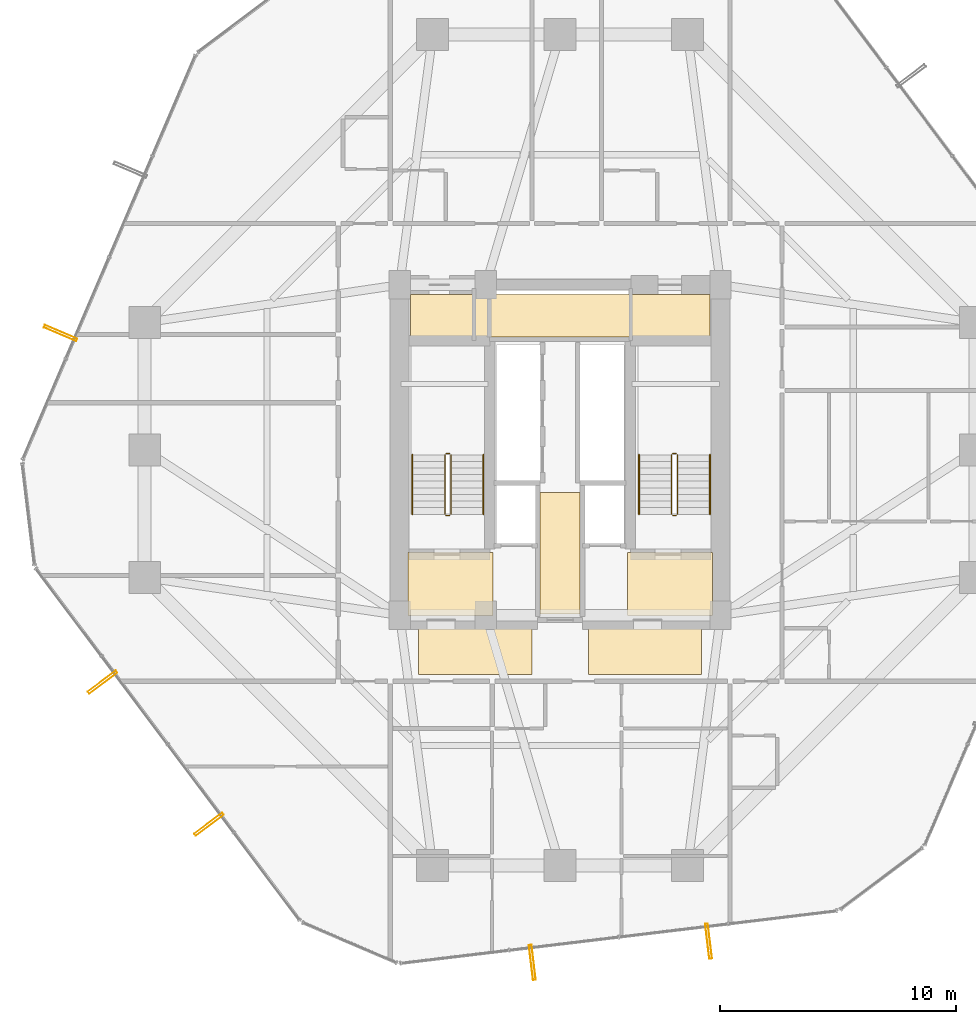
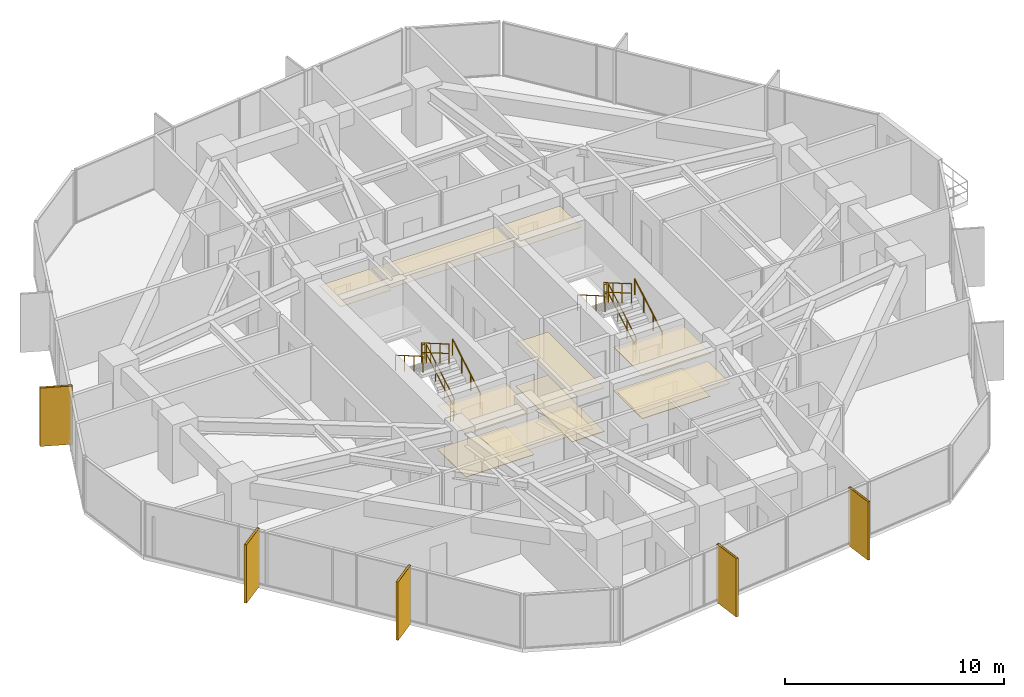
# One storey, part 36 of 37: 12 railings, 11 coverings, 5 shading devices.
"""IFC4 building model written with IfcOpenShell, lengths in metres."""

from ifc_helpers import new_model, si_unit, direction, frame, origin, origin_2d, place, context, subcontext, project, spatial, polyline, hollow_rectangle, circle, outline, extrude, material, layer, layer_set, material_profile, profile_set, type_object, element, save


model = new_model("IFC4")

# Units and contexts
model_context = context("Model", 3, precision=1e-05, world=origin(), true_north=direction((0.0, 1.0)))
body_context = subcontext(model_context, "Body", "Model", "MODEL_VIEW")
ifc_project = project(units=[si_unit("LENGTHUNIT", "METRE"), si_unit("AREAUNIT", "SQUARE_METRE"), si_unit("VOLUMEUNIT", "CUBIC_METRE"), si_unit("PLANEANGLEUNIT", "RADIAN"), si_unit("MASSUNIT", "GRAM", prefix="KILO")], contexts=[model_context])

# Site, building, storey
site_placement = place(None, origin())
site = spatial("IfcSite", under=ifc_project, at=site_placement, CompositionType="ELEMENT")
building_placement = place(site_placement, origin())
building = spatial("IfcBuilding", under=site, at=building_placement, Name="Veraguas Prism Commons", CompositionType="ELEMENT")
storey_placement = place(building_placement, frame((0.0, 0.0, 46.800048828125)))
storey = spatial("IfcBuildingStorey", under=building, at=storey_placement, Name="L12", CompositionType="ELEMENT", Elevation=46.800048828125)

# Shading devices
ifc_material_1 = material(Name="Anodised aluminium EN AW-6063 T6", Category="aluminium")
ifc_material_profile = material_profile(ifc_material_1, hollow_rectangle(XDim=0.1201171875, YDim=1.489990234375, WallThickness=0.006103515625, at=origin_2d()), Name="FIN120X1490X6")
ifc_profile_set = profile_set([ifc_material_profile], Name="Anodised aluminium EN AW-6063 T6")
shading_device_type = type_object("IfcShadingDeviceType", Name="Deep Pale-Metal Vertical Solar Fin 120x1490", PredefinedType="USERDEFINED", material=ifc_profile_set)
for number, where, z_axis, x_axis, name in (
    (1, (2.8349609375, 28.955322265625, -0.22998046875), (0.0, 0.0, 1.0), (-0.392979177488, -0.919547370211, 0.0), "Vertical Pale-Metal Solar Fin L12-F3B"),
    (2, (4.614013671875, 14.166259765625, -0.22998046875), (0.0, 0.0, 1.0), (0.599861793842, -0.800103635968, 0.0), "Vertical Pale-Metal Solar Fin L12-F4A"),
    (3, (9.1259765625, 8.148193359375, -0.22998046875), (0.0, 0.0, 1.0), (0.599861793842, -0.800103635968, 0.0), "Vertical Pale-Metal Solar Fin L12-F4B"),
    (4, (22.823486328125, 2.29443359375, -0.22998046875), (0.0, 0.0, 1.0), (0.992840971329, 0.119443734243, 0.0), "Vertical Pale-Metal Solar Fin L12-F5A"),
    (5, (30.291015625, 3.19287109375, -0.22998046875), (0.0, 0.0, 1.0), (0.992840971329, 0.119443734243, 0.0), "Vertical Pale-Metal Solar Fin L12-F5B"),
):
    element("IfcShadingDevice", number, at=place(storey_placement, frame(where, z_axis=z_axis, x_axis=x_axis)), inside=storey, type_object=shading_device_type, Name=name, ObjectType="FIN", PredefinedType="USERDEFINED", context=body_context, shape_type="SweptSolid", body=[
        extrude(hollow_rectangle(XDim=0.1201171875, YDim=1.489990234375, WallThickness=0.006103515625, at=origin_2d()), origin(), (0.0, 0.0, 1.0), 3.25),
    ])

# Coverings
ifc_material_2 = material(Name="Acoustic gypsum board")
ifc_layer_1 = layer(ifc_material_2, 0.02490234375, Name="Perforated Acoustic Ceiling Tile 25")
ifc_layer_set_1 = layer_set([ifc_layer_1], Name="Acoustic gypsum board")
covering_type_1 = type_object("IfcCoveringType", Name="Perforated Acoustic Ceiling Tile 25", PredefinedType="USERDEFINED", material=ifc_layer_set_1)
covering_1_placement = place(storey_placement, frame((0.0, 0.0, 2.425048828125)))
element("IfcCovering", 6, at=covering_1_placement, inside=storey, type_object=covering_type_1, Name="East Lobby Acoustic Ceiling L12", ObjectType="ACOUSTIC CEILING", PredefinedType="USERDEFINED", context=body_context, shape_type="SweptSolid", body=[
    extrude(outline(polyline([(26.85009765625, 17.0), (30.449951171875, 17.0), (30.449951171875, 19.64990234375), (26.85009765625, 19.64990234375), (26.85009765625, 17.0)])), origin(), (0.0, 0.0, 1.0), 0.02490234375),
])
ifc_material_3 = material(Name="Terrazzo stone finish", Category="masonry")
ifc_layer_2 = layer(ifc_material_3, 0.030029296875, Name="Polished Terrazzo Floor Finish 30", Category="masonry")
ifc_layer_set_2 = layer_set([ifc_layer_2], Name="Terrazzo stone finish")
covering_type_2 = type_object("IfcCoveringType", Name="Polished Terrazzo Floor Finish 30", PredefinedType="FLOORING", material=ifc_layer_set_2)
covering_2_placement = place(storey_placement, origin())
element("IfcCovering", 7, at=covering_2_placement, inside=storey, type_object=covering_type_2, Name="Terrazzo Lobby Flooring L12", PredefinedType="FLOORING", context=body_context, shape_type="SweptSolid", body=[
    extrude(outline(polyline([(23.14990234375, 17.050048828125), (24.85009765625, 17.050048828125), (24.85009765625, 22.199951171875), (23.14990234375, 22.199951171875), (23.14990234375, 17.050048828125)])), origin(), (0.0, 0.0, 1.0), 0.030029296875),
])
covering_3_placement = place(storey_placement, origin())
element("IfcCovering", 8, at=covering_3_placement, inside=storey, type_object=covering_type_2, Name="West FF Lobby Terrazzo Flooring L12", PredefinedType="FLOORING", context=body_context, shape_type="SweptSolid", body=[
    extrude(outline(polyline([(17.550048828125, 17.050048828125), (21.14990234375, 17.050048828125), (21.14990234375, 19.64990234375), (17.550048828125, 19.64990234375), (17.550048828125, 17.050048828125)])), origin(), (0.0, 0.0, 1.0), 0.030029296875),
])
covering_4_placement = place(storey_placement, origin())
element("IfcCovering", 9, at=covering_4_placement, inside=storey, type_object=covering_type_2, Name="East FF Lobby Terrazzo Flooring L12", PredefinedType="FLOORING", context=body_context, shape_type="SweptSolid", body=[
    extrude(outline(polyline([(26.85009765625, 17.050048828125), (30.449951171875, 17.050048828125), (30.449951171875, 19.64990234375), (26.85009765625, 19.64990234375), (26.85009765625, 17.050048828125)])), origin(), (0.0, 0.0, 1.0), 0.030029296875),
])

# Railings
ifc_material_4 = material(Name="Stainless steel AISI 316", Category="steel")
railing_type_1 = type_object("IfcRailingType", Name="Stair and Ramp Stainless Handrail 900", PredefinedType="HANDRAIL", material=ifc_material_4)
railing_1_placement = place(storey_placement, frame((20.75, 21.280029296875, 0.162353515625)))
element("IfcRailing", 10, at=railing_1_placement, inside=storey, type_object=railing_type_1, Name="Stair Handrail ST-01 L12-1", PredefinedType="HANDRAIL", context=body_context, shape_type="SweptSolid", body=[
    extrude(circle(Radius=0.02392578125, at=origin_2d()), frame((0.0, 0.0, 0.8759765625), z_axis=(0.0, 0.864876961378, 0.501983905795), x_axis=(-1.0, 0.0, 0.0)), (0.0, 0.0, 1.0), 2.913818359375),
    extrude(circle(Radius=0.02099609375, at=origin_2d()), origin(), (0.0, 0.0, 1.0), 0.851806640625),
    extrude(circle(Radius=0.02099609375, at=origin_2d()), frame((0.0, 0.840087890625, 0.487548828125)), (0.0, 0.0, 1.0), 0.851806640625),
    extrude(circle(Radius=0.02099609375, at=origin_2d()), frame((0.0, 1.679931640625, 0.97509765625)), (0.0, 0.0, 1.0), 0.851806640625),
    extrude(circle(Radius=0.02099609375, at=origin_2d()), frame((0.0, 2.52001953125, 1.462646484375)), (0.0, 0.0, 1.0), 0.851806640625),
])
railing_2_placement = place(storey_placement, frame((17.739990234375, 23.800048828125, 1.787353515625)))
element("IfcRailing", 11, at=railing_2_placement, inside=storey, type_object=railing_type_1, Name="Stair Handrail ST-01 L12-2", PredefinedType="HANDRAIL", context=body_context, shape_type="SweptSolid", body=[
    extrude(circle(Radius=0.02392578125, at=origin_2d()), frame((0.0, 0.0, 0.8759765625), z_axis=(0.0, -0.864876961378, 0.501983905795), x_axis=(1.0, 0.0, 0.0)), (0.0, 0.0, 1.0), 2.913818359375),
    extrude(circle(Radius=0.02099609375, at=origin_2d()), origin(), (0.0, 0.0, 1.0), 0.851806640625),
    extrude(circle(Radius=0.02099609375, at=origin_2d()), frame((0.0, -0.840087890625, 0.487548828125)), (0.0, 0.0, 1.0), 0.851806640625),
    extrude(circle(Radius=0.02099609375, at=origin_2d()), frame((0.0, -1.679931640625, 0.97509765625)), (0.0, 0.0, 1.0), 0.851806640625),
    extrude(circle(Radius=0.02099609375, at=origin_2d()), frame((0.0, -2.52001953125, 1.462646484375)), (0.0, 0.0, 1.0), 0.851806640625),
])
railing_3_placement = place(storey_placement, frame((30.35009765625, 21.280029296875, 0.162353515625)))
element("IfcRailing", 12, at=railing_3_placement, inside=storey, type_object=railing_type_1, Name="Stair Handrail ST-02 L12-1", PredefinedType="HANDRAIL", context=body_context, shape_type="SweptSolid", body=[
    extrude(circle(Radius=0.02392578125, at=origin_2d()), frame((0.0, 0.0, 0.8759765625), z_axis=(0.0, 0.864876961378, 0.501983905795), x_axis=(-1.0, 0.0, 0.0)), (0.0, 0.0, 1.0), 2.913818359375),
    extrude(circle(Radius=0.02099609375, at=origin_2d()), origin(), (0.0, 0.0, 1.0), 0.851806640625),
    extrude(circle(Radius=0.02099609375, at=origin_2d()), frame((0.0, 0.840087890625, 0.487548828125)), (0.0, 0.0, 1.0), 0.851806640625),
    extrude(circle(Radius=0.02099609375, at=origin_2d()), frame((0.0, 1.679931640625, 0.97509765625)), (0.0, 0.0, 1.0), 0.851806640625),
    extrude(circle(Radius=0.02099609375, at=origin_2d()), frame((0.0, 2.52001953125, 1.462646484375)), (0.0, 0.0, 1.0), 0.851806640625),
])
railing_4_placement = place(storey_placement, frame((27.340087890625, 23.800048828125, 1.787353515625)))
element("IfcRailing", 13, at=railing_4_placement, inside=storey, type_object=railing_type_1, Name="Stair Handrail ST-02 L12-2", PredefinedType="HANDRAIL", context=body_context, shape_type="SweptSolid", body=[
    extrude(circle(Radius=0.02392578125, at=origin_2d()), frame((0.0, 0.0, 0.8759765625), z_axis=(0.0, -0.864876961378, 0.501983905795), x_axis=(1.0, 0.0, 0.0)), (0.0, 0.0, 1.0), 2.913818359375),
    extrude(circle(Radius=0.02099609375, at=origin_2d()), origin(), (0.0, 0.0, 1.0), 0.851806640625),
    extrude(circle(Radius=0.02099609375, at=origin_2d()), frame((0.0, -0.840087890625, 0.487548828125)), (0.0, 0.0, 1.0), 0.851806640625),
    extrude(circle(Radius=0.02099609375, at=origin_2d()), frame((0.0, -1.679931640625, 0.97509765625)), (0.0, 0.0, 1.0), 0.851806640625),
    extrude(circle(Radius=0.02099609375, at=origin_2d()), frame((0.0, -2.52001953125, 1.462646484375)), (0.0, 0.0, 1.0), 0.851806640625),
])
railing_type_2 = type_object("IfcRailingType", Name="Stairwell Safety Guardrail 1100", PredefinedType="GUARDRAIL", material=ifc_material_4)
railing_5_placement = place(storey_placement, frame((19.3701171875, 21.280029296875, 0.162353515625)))
element("IfcRailing", 14, at=railing_5_placement, inside=storey, type_object=railing_type_2, Name="Stair Guard ST-01 L12-1", PredefinedType="GUARDRAIL", context=body_context, shape_type="SweptSolid", body=[
    extrude(circle(Radius=0.02392578125, at=origin_2d()), frame((0.0, 0.0, 1.076171875), z_axis=(0.0, 0.864876961378, 0.501983905795), x_axis=(-1.0, 0.0, 0.0)), (0.0, 0.0, 1.0), 2.913818359375),
    extrude(circle(Radius=0.02392578125, at=origin_2d()), frame((0.0, 0.0, 0.550048828125), z_axis=(0.0, 0.864876961378, 0.501983905795), x_axis=(-1.0, 0.0, 0.0)), (0.0, 0.0, 1.0), 2.913818359375),
    extrude(circle(Radius=0.02099609375, at=origin_2d()), origin(), (0.0, 0.0, 1.0), 1.052001953125),
    extrude(circle(Radius=0.02099609375, at=origin_2d()), frame((0.0, 0.840087890625, 0.487548828125)), (0.0, 0.0, 1.0), 1.052001953125),
    extrude(circle(Radius=0.02099609375, at=origin_2d()), frame((0.0, 1.679931640625, 0.97509765625)), (0.0, 0.0, 1.0), 1.052001953125),
    extrude(circle(Radius=0.02099609375, at=origin_2d()), frame((0.0, 2.52001953125, 1.462646484375)), (0.0, 0.0, 1.0), 1.052001953125),
])
railing_6_placement = place(storey_placement, frame((19.320068359375, 23.85009765625, 1.625)))
element("IfcRailing", 15, at=railing_6_placement, inside=storey, type_object=railing_type_2, Name="Stair Guard ST-01 L12-2", PredefinedType="GUARDRAIL", context=body_context, shape_type="SweptSolid", body=[
    extrude(circle(Radius=0.02392578125, at=origin_2d()), frame((0.0, 0.0, 1.076171875), z_axis=(-1.0, 0.0, 0.0), x_axis=(0.0, -1.0, 0.0)), (0.0, 0.0, 1.0), 0.150146484375),
    extrude(circle(Radius=0.02392578125, at=origin_2d()), frame((0.0, 0.0, 0.550048828125), z_axis=(-1.0, 0.0, 0.0), x_axis=(0.0, -1.0, 0.0)), (0.0, 0.0, 1.0), 0.150146484375),
    extrude(circle(Radius=0.02099609375, at=origin_2d()), origin(), (0.0, 0.0, 1.0), 1.052001953125),
    extrude(circle(Radius=0.02099609375, at=origin_2d()), frame((-0.150146484375, 0.0, 0.0)), (0.0, 0.0, 1.0), 1.052001953125),
])
railing_7_placement = place(storey_placement, frame((19.1201171875, 23.800048828125, 1.787353515625)))
element("IfcRailing", 16, at=railing_7_placement, inside=storey, type_object=railing_type_2, Name="Stair Guard ST-01 L12-3", PredefinedType="GUARDRAIL", context=body_context, shape_type="SweptSolid", body=[
    extrude(circle(Radius=0.02392578125, at=origin_2d()), frame((0.0, 0.0, 1.076171875), z_axis=(0.0, -0.864876961378, 0.501983905795), x_axis=(1.0, 0.0, 0.0)), (0.0, 0.0, 1.0), 2.913818359375),
    extrude(circle(Radius=0.02392578125, at=origin_2d()), frame((0.0, 0.0, 0.550048828125), z_axis=(0.0, -0.864876961378, 0.501983905795), x_axis=(1.0, 0.0, 0.0)), (0.0, 0.0, 1.0), 2.913818359375),
    extrude(circle(Radius=0.02099609375, at=origin_2d()), origin(), (0.0, 0.0, 1.0), 1.052001953125),
    extrude(circle(Radius=0.02099609375, at=origin_2d()), frame((0.0, -0.840087890625, 0.487548828125)), (0.0, 0.0, 1.0), 1.052001953125),
    extrude(circle(Radius=0.02099609375, at=origin_2d()), frame((0.0, -1.679931640625, 0.97509765625)), (0.0, 0.0, 1.0), 1.052001953125),
    extrude(circle(Radius=0.02099609375, at=origin_2d()), frame((0.0, -2.52001953125, 1.462646484375)), (0.0, 0.0, 1.0), 1.052001953125),
])
railing_8_placement = place(storey_placement, frame((19.320068359375, 21.22998046875, 0.0)))
element("IfcRailing", 17, at=railing_8_placement, inside=storey, type_object=railing_type_2, Name="Stair Guard ST-01 L12-4", PredefinedType="GUARDRAIL", context=body_context, shape_type="SweptSolid", body=[
    extrude(circle(Radius=0.02392578125, at=origin_2d()), frame((0.0, 0.0, 1.076171875), z_axis=(-1.0, 0.0, 0.0), x_axis=(0.0, -1.0, 0.0)), (0.0, 0.0, 1.0), 0.150146484375),
    extrude(circle(Radius=0.02392578125, at=origin_2d()), frame((0.0, 0.0, 0.550048828125), z_axis=(-1.0, 0.0, 0.0), x_axis=(0.0, -1.0, 0.0)), (0.0, 0.0, 1.0), 0.150146484375),
    extrude(circle(Radius=0.02099609375, at=origin_2d()), origin(), (0.0, 0.0, 1.0), 1.052001953125),
    extrude(circle(Radius=0.02099609375, at=origin_2d()), frame((-0.150146484375, 0.0, 0.0)), (0.0, 0.0, 1.0), 1.052001953125),
])
railing_9_placement = place(storey_placement, frame((28.969970703125, 21.280029296875, 0.162353515625)))
element("IfcRailing", 18, at=railing_9_placement, inside=storey, type_object=railing_type_2, Name="Stair Guard ST-02 L12-1", PredefinedType="GUARDRAIL", context=body_context, shape_type="SweptSolid", body=[
    extrude(circle(Radius=0.02392578125, at=origin_2d()), frame((0.0, 0.0, 1.076171875), z_axis=(0.0, 0.864876961378, 0.501983905795), x_axis=(-1.0, 0.0, 0.0)), (0.0, 0.0, 1.0), 2.913818359375),
    extrude(circle(Radius=0.02392578125, at=origin_2d()), frame((0.0, 0.0, 0.550048828125), z_axis=(0.0, 0.864876961378, 0.501983905795), x_axis=(-1.0, 0.0, 0.0)), (0.0, 0.0, 1.0), 2.913818359375),
    extrude(circle(Radius=0.02099609375, at=origin_2d()), origin(), (0.0, 0.0, 1.0), 1.052001953125),
    extrude(circle(Radius=0.02099609375, at=origin_2d()), frame((0.0, 0.840087890625, 0.487548828125)), (0.0, 0.0, 1.0), 1.052001953125),
    extrude(circle(Radius=0.02099609375, at=origin_2d()), frame((0.0, 1.679931640625, 0.97509765625)), (0.0, 0.0, 1.0), 1.052001953125),
    extrude(circle(Radius=0.02099609375, at=origin_2d()), frame((0.0, 2.52001953125, 1.462646484375)), (0.0, 0.0, 1.0), 1.052001953125),
])
railing_10_placement = place(storey_placement, frame((28.919921875, 23.85009765625, 1.625)))
element("IfcRailing", 19, at=railing_10_placement, inside=storey, type_object=railing_type_2, Name="Stair Guard ST-02 L12-2", PredefinedType="GUARDRAIL", context=body_context, shape_type="SweptSolid", body=[
    extrude(circle(Radius=0.02392578125, at=origin_2d()), frame((0.0, 0.0, 1.076171875), z_axis=(-1.0, 0.0, 0.0), x_axis=(0.0, -1.0, 0.0)), (0.0, 0.0, 1.0), 0.14990234375),
    extrude(circle(Radius=0.02392578125, at=origin_2d()), frame((0.0, 0.0, 0.550048828125), z_axis=(-1.0, 0.0, 0.0), x_axis=(0.0, -1.0, 0.0)), (0.0, 0.0, 1.0), 0.14990234375),
    extrude(circle(Radius=0.02099609375, at=origin_2d()), origin(), (0.0, 0.0, 1.0), 1.052001953125),
    extrude(circle(Radius=0.02099609375, at=origin_2d()), frame((-0.14990234375, 0.0, 0.0)), (0.0, 0.0, 1.0), 1.052001953125),
])
railing_11_placement = place(storey_placement, frame((28.719970703125, 23.800048828125, 1.787353515625)))
element("IfcRailing", 20, at=railing_11_placement, inside=storey, type_object=railing_type_2, Name="Stair Guard ST-02 L12-3", PredefinedType="GUARDRAIL", context=body_context, shape_type="SweptSolid", body=[
    extrude(circle(Radius=0.02392578125, at=origin_2d()), frame((0.0, 0.0, 1.076171875), z_axis=(0.0, -0.864876961378, 0.501983905795), x_axis=(1.0, 0.0, 0.0)), (0.0, 0.0, 1.0), 2.913818359375),
    extrude(circle(Radius=0.02392578125, at=origin_2d()), frame((0.0, 0.0, 0.550048828125), z_axis=(0.0, -0.864876961378, 0.501983905795), x_axis=(1.0, 0.0, 0.0)), (0.0, 0.0, 1.0), 2.913818359375),
    extrude(circle(Radius=0.02099609375, at=origin_2d()), origin(), (0.0, 0.0, 1.0), 1.052001953125),
    extrude(circle(Radius=0.02099609375, at=origin_2d()), frame((0.0, -0.840087890625, 0.487548828125)), (0.0, 0.0, 1.0), 1.052001953125),
    extrude(circle(Radius=0.02099609375, at=origin_2d()), frame((0.0, -1.679931640625, 0.97509765625)), (0.0, 0.0, 1.0), 1.052001953125),
    extrude(circle(Radius=0.02099609375, at=origin_2d()), frame((0.0, -2.52001953125, 1.462646484375)), (0.0, 0.0, 1.0), 1.052001953125),
])
railing_12_placement = place(storey_placement, frame((28.919921875, 21.22998046875, 0.0)))
element("IfcRailing", 21, at=railing_12_placement, inside=storey, type_object=railing_type_2, Name="Stair Guard ST-02 L12-4", PredefinedType="GUARDRAIL", context=body_context, shape_type="SweptSolid", body=[
    extrude(circle(Radius=0.02392578125, at=origin_2d()), frame((0.0, 0.0, 1.076171875), z_axis=(-1.0, 0.0, 0.0), x_axis=(0.0, -1.0, 0.0)), (0.0, 0.0, 1.0), 0.14990234375),
    extrude(circle(Radius=0.02392578125, at=origin_2d()), frame((0.0, 0.0, 0.550048828125), z_axis=(-1.0, 0.0, 0.0), x_axis=(0.0, -1.0, 0.0)), (0.0, 0.0, 1.0), 0.14990234375),
    extrude(circle(Radius=0.02099609375, at=origin_2d()), origin(), (0.0, 0.0, 1.0), 1.052001953125),
    extrude(circle(Radius=0.02099609375, at=origin_2d()), frame((-0.14990234375, 0.0, 0.0)), (0.0, 0.0, 1.0), 1.052001953125),
])

# Coverings
ifc_layer_3 = layer(ifc_material_2, 0.02001953125, Name="Suspended Gypsum Ceiling 20")
ifc_layer_set_3 = layer_set([ifc_layer_3], Name="Acoustic gypsum board")
covering_type_3 = type_object("IfcCoveringType", Name="Suspended Gypsum Ceiling 20", PredefinedType="CEILING", material=ifc_layer_set_3)
covering_5_placement = place(storey_placement, frame((0.0, 0.0, 2.429931640625)))
element("IfcCovering", 22, at=covering_5_placement, inside=storey, type_object=covering_type_3, Name="West Lobby Suspended Gypsum Ceiling L12", PredefinedType="CEILING", context=body_context, shape_type="SweptSolid", body=[
    extrude(outline(polyline([(17.550048828125, 17.0), (21.14990234375, 17.0), (21.14990234375, 19.64990234375), (17.550048828125, 19.64990234375), (17.550048828125, 17.0)])), origin(), (0.0, 0.0, 1.0), 0.02001953125),
])
covering_6_placement = place(storey_placement, frame((0.0, 0.0, 2.429931640625)))
element("IfcCovering", 23, at=covering_6_placement, inside=storey, type_object=covering_type_3, Name="Core Lobby Acoustic Ceiling L12-1", PredefinedType="CEILING", context=body_context, shape_type="SweptSolid", body=[
    extrude(outline(polyline([(18.0, 14.5), (22.800048828125, 14.5), (22.800048828125, 16.550048828125), (18.0, 16.550048828125), (18.0, 14.5)])), origin(), (0.0, 0.0, 1.0), 0.02001953125),
])
covering_7_placement = place(storey_placement, frame((0.0, 0.0, 2.429931640625)))
element("IfcCovering", 24, at=covering_7_placement, inside=storey, type_object=covering_type_3, Name="Core Lobby Acoustic Ceiling L12-2", PredefinedType="CEILING", context=body_context, shape_type="SweptSolid", body=[
    extrude(outline(polyline([(25.199951171875, 14.5), (30.0, 14.5), (30.0, 16.550048828125), (25.199951171875, 16.550048828125), (25.199951171875, 14.5)])), origin(), (0.0, 0.0, 1.0), 0.02001953125),
])
covering_8_placement = place(storey_placement, frame((0.0, 0.0, 2.429931640625)))
element("IfcCovering", 25, at=covering_8_placement, inside=storey, type_object=covering_type_3, Name="Core Lobby Acoustic Ceiling L12-3", PredefinedType="CEILING", context=body_context, shape_type="SweptSolid", body=[
    extrude(outline(polyline([(23.14990234375, 17.050048828125), (24.85009765625, 17.050048828125), (24.85009765625, 22.199951171875), (23.14990234375, 22.199951171875), (23.14990234375, 17.050048828125)])), origin(), (0.0, 0.0, 1.0), 0.02001953125),
])
covering_9_placement = place(storey_placement, frame((0.0, 0.0, 2.429931640625)))
element("IfcCovering", 26, at=covering_9_placement, inside=storey, type_object=covering_type_3, Name="Core Lobby Acoustic Ceiling L12-4", PredefinedType="CEILING", context=body_context, shape_type="SweptSolid", body=[
    extrude(outline(polyline([(17.64990234375, 28.64990234375), (20.300048828125, 28.64990234375), (20.300048828125, 30.60009765625), (17.64990234375, 30.60009765625), (17.64990234375, 28.64990234375)])), origin(), (0.0, 0.0, 1.0), 0.02001953125),
])
covering_10_placement = place(storey_placement, frame((0.0, 0.0, 2.429931640625)))
element("IfcCovering", 27, at=covering_10_placement, inside=storey, type_object=covering_type_3, Name="Core Lobby Acoustic Ceiling L12-5", PredefinedType="CEILING", context=body_context, shape_type="SweptSolid", body=[
    extrude(outline(polyline([(27.050048828125, 28.64990234375), (30.35009765625, 28.64990234375), (30.35009765625, 30.60009765625), (27.050048828125, 30.60009765625), (27.050048828125, 28.64990234375)])), origin(), (0.0, 0.0, 1.0), 0.02001953125),
])
covering_11_placement = place(storey_placement, frame((0.0, 0.0, 2.429931640625)))
element("IfcCovering", 28, at=covering_11_placement, inside=storey, type_object=covering_type_3, Name="Core Lobby Acoustic Ceiling L12-6", PredefinedType="CEILING", context=body_context, shape_type="SweptSolid", body=[
    extrude(outline(polyline([(20.39990234375, 28.800048828125), (26.949951171875, 28.800048828125), (26.949951171875, 30.60009765625), (20.39990234375, 30.60009765625), (20.39990234375, 28.800048828125)])), origin(), (0.0, 0.0, 1.0), 0.02001953125),
])

save(model, "model.ifc")
